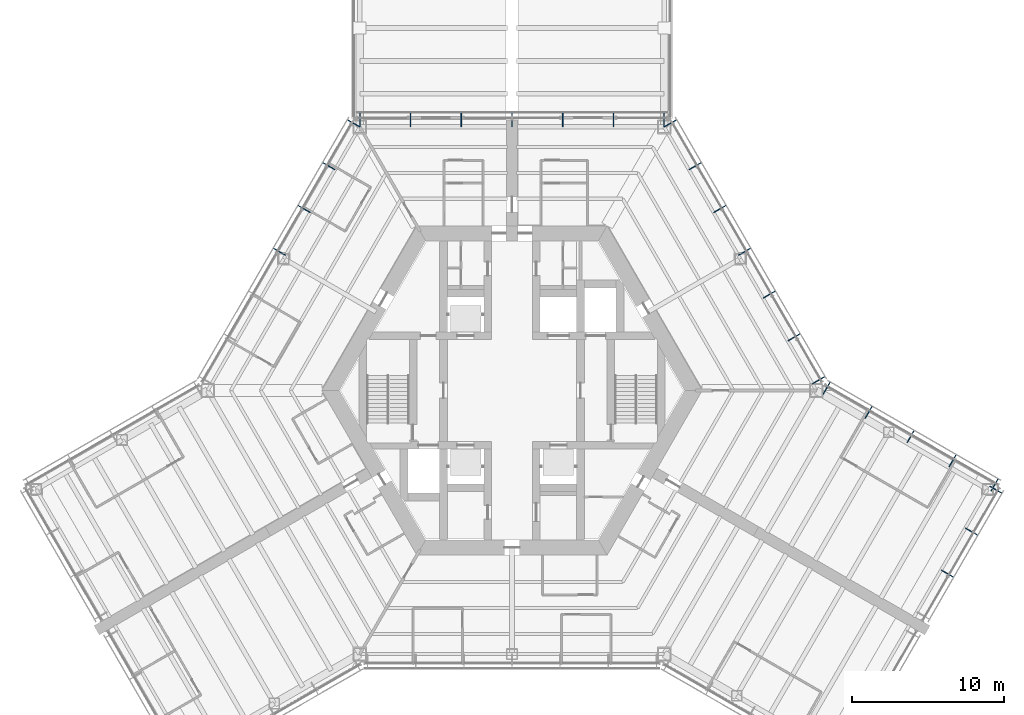
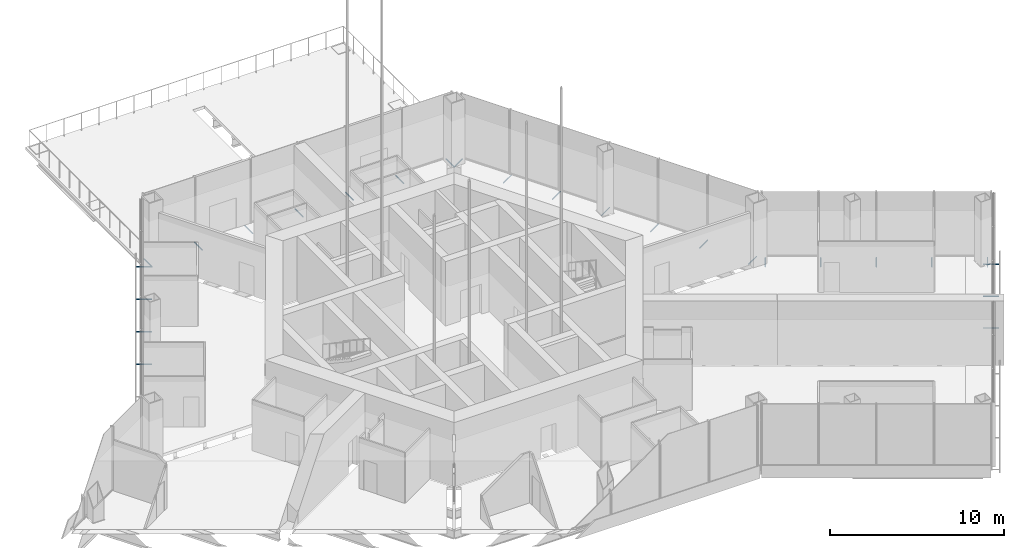
# One storey, part 15 of 18: 26 discrete accessories.
"""IFC4 building model written with IfcOpenShell, lengths in metres."""

from ifc_helpers import new_model, si_unit, direction, frame, origin, origin_2d, place, context, subcontext, project, spatial, hollow_circle, extrude, material, material_profile, profile_set, type_object, element, save


model = new_model("IFC4")

# Units and contexts
model_context = context("Model", 3, precision=1e-05, world=origin(), true_north=direction((0.0, 1.0)))
body_context = subcontext(model_context, "Body", "Model", "MODEL_VIEW")
ifc_project = project(units=[si_unit("LENGTHUNIT", "METRE"), si_unit("AREAUNIT", "SQUARE_METRE"), si_unit("VOLUMEUNIT", "CUBIC_METRE"), si_unit("PLANEANGLEUNIT", "RADIAN"), si_unit("MASSUNIT", "GRAM", prefix="KILO")], contexts=[model_context])

# Site, building, storey
site_placement = place(None, origin())
site = spatial("IfcSite", under=ifc_project, at=site_placement, CompositionType="ELEMENT")
building_placement = place(site_placement, origin())
building = spatial("IfcBuilding", under=site, at=building_placement, Name="Kasaneha Research Tower", CompositionType="ELEMENT")
storey_placement = place(building_placement, frame((0.0, 0.0, 128.60009765625)))
storey = spatial("IfcBuildingStorey", under=building, at=storey_placement, Name="L32", CompositionType="ELEMENT", Elevation=128.60009765625)

# Discrete accessories
ifc_material = material(Name="Steel STK400", Category="steel")
ifc_material_profile = material_profile(ifc_material, hollow_circle(Radius=0.0380859375, WallThickness=0.00390625, at=origin_2d()), Name="CHS-76.3x4.0")
ifc_profile_set = profile_set([ifc_material_profile], Name="Steel STK400")
discrete_accessory_type = type_object("IfcDiscreteAccessoryType", Name="Screen bracket CHS-76.3x4.0", PredefinedType="BRACKET", material=ifc_profile_set)
discrete_accessory_1_placement = place(storey_placement, frame((28.199951171875, -11.797119140625, -0.35009765625), z_axis=(0.866079547155, -0.499906209203, 0.0), x_axis=(0.499906209203, 0.866079547155, 0.0)))
element("IfcDiscreteAccessory", 1, at=discrete_accessory_1_placement, inside=storey, type_object=discrete_accessory_type, Name="Screen bracket 2", PredefinedType="BRACKET", context=body_context, shape_type="SweptSolid", body=[
    extrude(hollow_circle(Radius=0.0380859375, WallThickness=0.00390625, at=origin_2d()), origin(), (0.0, 0.0, 1.0), 0.920166015625),
])
discrete_accessory_2_placement = place(storey_placement, frame((29.791748046875, -9.040283203125, -0.35009765625), z_axis=(0.866013213425, -0.500021113727, 0.0), x_axis=(0.500021113727, 0.866013213425, 0.0)))
element("IfcDiscreteAccessory", 2, at=discrete_accessory_2_placement, inside=storey, type_object=discrete_accessory_type, Name="Screen bracket 3", PredefinedType="BRACKET", context=body_context, shape_type="SweptSolid", body=[
    extrude(hollow_circle(Radius=0.0380859375, WallThickness=0.00390625, at=origin_2d()), origin(), (0.0, 0.0, 1.0), 0.919921875),
])
discrete_accessory_3_placement = place(storey_placement, frame((31.38330078125, -6.283447265625, -0.35009765625), z_axis=(0.866079547155, -0.499906209203, 0.0), x_axis=(0.499906209203, 0.866079547155, 0.0)))
element("IfcDiscreteAccessory", 3, at=discrete_accessory_3_placement, inside=storey, type_object=discrete_accessory_type, Name="Screen bracket 4", PredefinedType="BRACKET", context=body_context, shape_type="SweptSolid", body=[
    extrude(hollow_circle(Radius=0.0380859375, WallThickness=0.00390625, at=origin_2d()), origin(), (0.0, 0.0, 1.0), 0.920166015625),
])
discrete_accessory_4_placement = place(storey_placement, frame((31.474853515625, -6.625, -0.35009765625), z_axis=(0.500021113727, 0.866013213425, 0.0), x_axis=(-0.866013213425, 0.500021113727, 0.0)))
element("IfcDiscreteAccessory", 4, at=discrete_accessory_4_placement, inside=storey, type_object=discrete_accessory_type, Name="Screen bracket 1", PredefinedType="BRACKET", context=body_context, shape_type="SweptSolid", body=[
    extrude(hollow_circle(Radius=0.0380859375, WallThickness=0.00390625, at=origin_2d()), origin(), (0.0, 0.0, 1.0), 0.919921875),
])
discrete_accessory_5_placement = place(storey_placement, frame((28.716796875, -5.03271484375, -0.35009765625), z_axis=(0.499906209203, 0.866079547155, 0.0), x_axis=(-0.866079547155, 0.499906209203, 0.0)))
element("IfcDiscreteAccessory", 5, at=discrete_accessory_5_placement, inside=storey, type_object=discrete_accessory_type, Name="Screen bracket 2", PredefinedType="BRACKET", context=body_context, shape_type="SweptSolid", body=[
    extrude(hollow_circle(Radius=0.0380859375, WallThickness=0.00390625, at=origin_2d()), origin(), (0.0, 0.0, 1.0), 0.920166015625),
])
discrete_accessory_6_placement = place(storey_placement, frame((25.95849609375, -3.440185546875, -0.35009765625), z_axis=(0.500220121494, 0.865898279276, 0.0), x_axis=(-0.865898279276, 0.500220121494, 0.0)))
element("IfcDiscreteAccessory", 6, at=discrete_accessory_6_placement, inside=storey, type_object=discrete_accessory_type, Name="Screen bracket 3", PredefinedType="BRACKET", context=body_context, shape_type="SweptSolid", body=[
    extrude(hollow_circle(Radius=0.0380859375, WallThickness=0.00390625, at=origin_2d()), origin(), (0.0, 0.0, 1.0), 0.919921875),
])
discrete_accessory_7_placement = place(storey_placement, frame((23.200439453125, -1.847900390625, -0.35009765625), z_axis=(0.499906209203, 0.866079547155, 0.0), x_axis=(-0.866079547155, 0.499906209203, 0.0)))
element("IfcDiscreteAccessory", 7, at=discrete_accessory_7_placement, inside=storey, type_object=discrete_accessory_type, Name="Screen bracket 4", PredefinedType="BRACKET", context=body_context, shape_type="SweptSolid", body=[
    extrude(hollow_circle(Radius=0.0380859375, WallThickness=0.00390625, at=origin_2d()), origin(), (0.0, 0.0, 1.0), 0.920166015625),
])
for number, where, z_axis, x_axis, name in (
    (8, (20.4423828125, -0.25537109375, -0.35009765625), (0.500021113727, 0.866013213425, 0.0), (-0.866013213425, 0.500021113727, 0.0), "Screen bracket 5"),
    (9, (19.74462890625, 0.4423828125, -0.35009765625), (0.866013213425, 0.500021113727, 0.0), (-0.500021113727, 0.866013213425, 0.0), "Screen bracket 1"),
    (10, (18.120849609375, 3.2548828125, -0.35009765625), (0.866013213425, 0.500021113727, 0.0), (-0.500021113727, 0.866013213425, 0.0), "Screen bracket 2"),
    (11, (16.4970703125, 6.0673828125, -0.35009765625), (0.866013213425, 0.500021113727, 0.0), (-0.500021113727, 0.866013213425, 0.0), "Screen bracket 3"),
    (12, (14.873291015625, 8.8798828125, -0.35009765625), (0.866013213425, 0.500021113727, 0.0), (-0.500021113727, 0.866013213425, 0.0), "Screen bracket 4"),
    (13, (13.24951171875, 11.6923828125, -0.35009765625), (0.866013213425, 0.500021113727, 0.0), (-0.500021113727, 0.866013213425, 0.0), "Screen bracket 5"),
):
    element("IfcDiscreteAccessory", number, at=place(storey_placement, frame(where, z_axis=z_axis, x_axis=x_axis)), inside=storey, type_object=discrete_accessory_type, Name=name, PredefinedType="BRACKET", context=body_context, shape_type="SweptSolid", body=[
        extrude(hollow_circle(Radius=0.0380859375, WallThickness=0.00390625, at=origin_2d()), origin(), (0.0, 0.0, 1.0), 0.919921875),
    ])
for number, where, z_axis, x_axis, name in (
    (14, (11.62548828125, 14.5048828125, -0.35009765625), (0.866079547155, 0.499906209203, 0.0), (-0.499906209203, 0.866079547155, 0.0), "Screen bracket 6"),
    (15, (10.001708984375, 17.3173828125, -0.35009765625), (0.866079547155, 0.499906209203, 0.0), (-0.499906209203, 0.866079547155, 0.0), "Screen bracket 7"),
):
    element("IfcDiscreteAccessory", number, at=place(storey_placement, frame(where, z_axis=z_axis, x_axis=x_axis)), inside=storey, type_object=discrete_accessory_type, Name=name, PredefinedType="BRACKET", context=body_context, shape_type="SweptSolid", body=[
        extrude(hollow_circle(Radius=0.0380859375, WallThickness=0.00390625, at=origin_2d()), origin(), (0.0, 0.0, 1.0), 0.920166015625),
    ])
for number, where, z_axis, x_axis, name in (
    (16, (9.996337890625, 17.320556640625, -0.35009765625), (0.0, 1.0, 0.0), (-1.0, 0.0, 0.0), "Screen bracket 1"),
    (17, (6.664306640625, 17.320556640625, -0.35009765625), (0.0, 1.0, 0.0), (-1.0, 0.0, 0.0), "Screen bracket 2"),
    (18, (3.33203125, 17.320556640625, -0.35009765625), (0.0, 1.0, 0.0), (-1.0, 0.0, 0.0), "Screen bracket 3"),
    (19, (0.0, 17.320556640625, -0.35009765625), (0.0, 1.0, 0.0), (-1.0, 0.0, 0.0), "Screen bracket 4"),
    (20, (-3.33203125, 17.320556640625, -0.35009765625), (0.0, 1.0, 0.0), (-1.0, 0.0, 0.0), "Screen bracket 5"),
    (21, (-6.664306640625, 17.320556640625, -0.35009765625), (0.0, 1.0, 0.0), (-1.0, 0.0, 0.0), "Screen bracket 6"),
    (22, (-9.996337890625, 17.320556640625, -0.35009765625), (0.0, 1.0, 0.0), (-1.0, 0.0, 0.0), "Screen bracket 7"),
):
    element("IfcDiscreteAccessory", number, at=place(storey_placement, frame(where, z_axis=z_axis, x_axis=x_axis)), inside=storey, type_object=discrete_accessory_type, Name=name, PredefinedType="BRACKET", context=body_context, shape_type="SweptSolid", body=[
        extrude(hollow_circle(Radius=0.0380859375, WallThickness=0.00390625, at=origin_2d()), origin(), (0.0, 0.0, 1.0), 0.919921875),
    ])
for number, where, z_axis, x_axis, name in (
    (23, (-10.001708984375, 17.3173828125, -0.35009765625), (-0.866079547155, 0.499906209203, 0.0), (-0.499906209203, -0.866079547155, 0.0), "Screen bracket 1"),
    (24, (-11.62548828125, 14.5048828125, -0.35009765625), (-0.866079547155, 0.499906209203, 0.0), (-0.499906209203, -0.866079547155, 0.0), "Screen bracket 2"),
):
    element("IfcDiscreteAccessory", number, at=place(storey_placement, frame(where, z_axis=z_axis, x_axis=x_axis)), inside=storey, type_object=discrete_accessory_type, Name=name, PredefinedType="BRACKET", context=body_context, shape_type="SweptSolid", body=[
        extrude(hollow_circle(Radius=0.0380859375, WallThickness=0.00390625, at=origin_2d()), origin(), (0.0, 0.0, 1.0), 0.920166015625),
    ])
for number, where, z_axis, x_axis, name in (
    (25, (-13.24951171875, 11.6923828125, -0.35009765625), (-0.866013213425, 0.500021113727, 0.0), (-0.500021113727, -0.866013213425, 0.0), "Screen bracket 3"),
    (26, (-14.873291015625, 8.8798828125, -0.35009765625), (-0.866013213425, 0.500021113727, 0.0), (-0.500021113727, -0.866013213425, 0.0), "Screen bracket 4"),
):
    element("IfcDiscreteAccessory", number, at=place(storey_placement, frame(where, z_axis=z_axis, x_axis=x_axis)), inside=storey, type_object=discrete_accessory_type, Name=name, PredefinedType="BRACKET", context=body_context, shape_type="SweptSolid", body=[
        extrude(hollow_circle(Radius=0.0380859375, WallThickness=0.00390625, at=origin_2d()), origin(), (0.0, 0.0, 1.0), 0.919921875),
    ])

save(model, "model.ifc")
